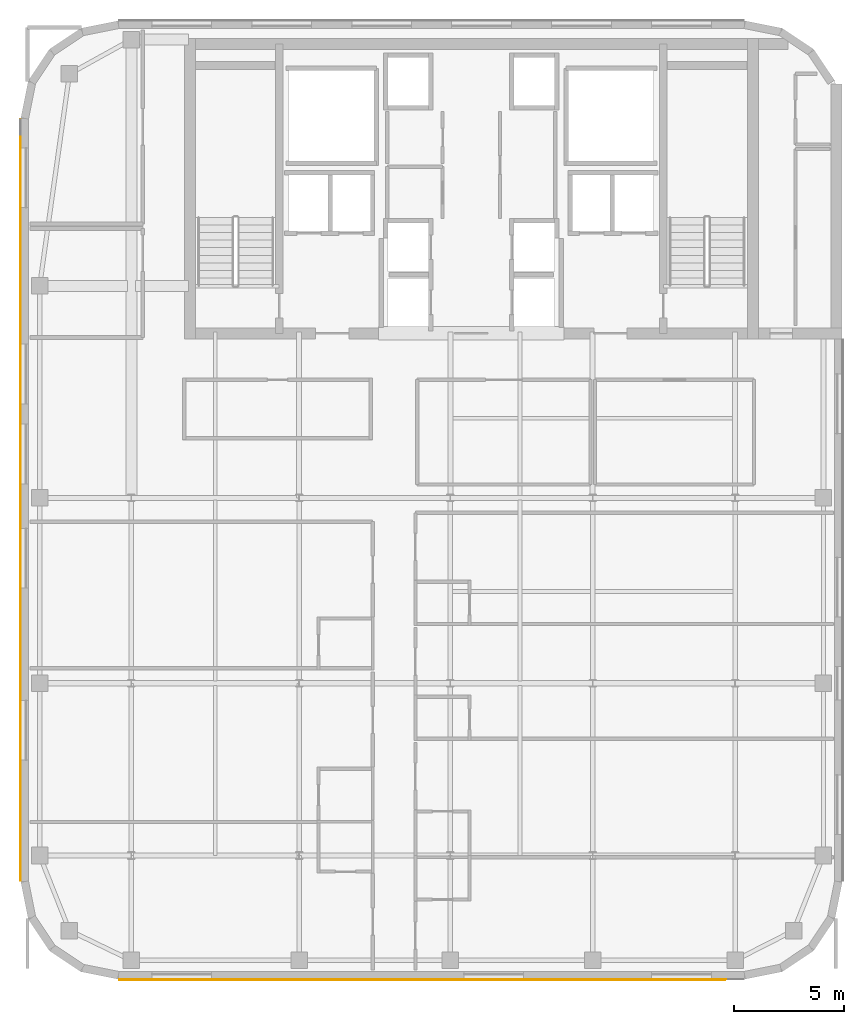
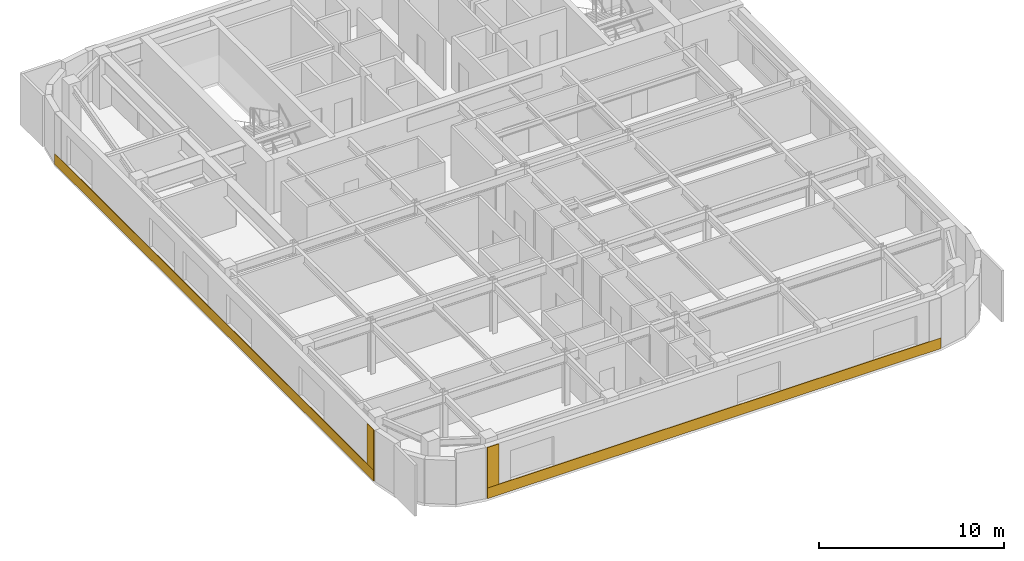
# One storey, part 8 of 11: 4 coverings.
"""IFC4 building model written with IfcOpenShell, lengths in metres."""

from ifc_helpers import new_model, si_unit, direction, frame, origin, place, context, subcontext, project, spatial, polyline, outline, extrude, material, layer, layer_set, type_object, element, save


model = new_model("IFC4")

# Units and contexts
model_context = context("Model", 3, precision=1e-05, world=origin(), true_north=direction((0.0, 1.0)))
body_context = subcontext(model_context, "Body", "Model", "MODEL_VIEW")
ifc_project = project(units=[si_unit("LENGTHUNIT", "METRE"), si_unit("AREAUNIT", "SQUARE_METRE"), si_unit("VOLUMEUNIT", "CUBIC_METRE"), si_unit("PLANEANGLEUNIT", "RADIAN"), si_unit("MASSUNIT", "GRAM", prefix="KILO")], contexts=[model_context])

# Site, building, storey
site_placement = place(None, origin())
site = spatial("IfcSite", under=ifc_project, at=site_placement, CompositionType="ELEMENT")
building_placement = place(site_placement, origin())
building = spatial("IfcBuilding", under=site, at=building_placement, Name="Tolvann Quenvar Hotel", CompositionType="ELEMENT")
storey_placement = place(building_placement, frame((0.0, 0.0, 234.550048828125)))
storey = spatial("IfcBuildingStorey", under=building, at=storey_placement, Name="L62", CompositionType="ELEMENT", Elevation=234.550048828125)

# Coverings
ifc_material_1 = material(Name="Kiln-fired red architectural face brick cladding", Category="masonry")
ifc_layer_1 = layer(ifc_material_1, 0.0400390625)
ifc_layer_set_1 = layer_set([ifc_layer_1], Name="Kiln-fired red architectural face brick cladding")
covering_type_1 = type_object("IfcCoveringType", Name="COV_CLAD_BRICK_40", PredefinedType="CLADDING", material=ifc_layer_set_1)
covering_1_placement = place(storey_placement, frame((0.0, 0.0, 0.699951171875)))
element("IfcCovering", 1, at=covering_1_placement, inside=storey, type_object=covering_type_1, Name="Brick Pier Cladding (L62-E04-P1)", PredefinedType="CLADDING", context=body_context, shape_type="SweptSolid", body=[
    extrude(outline(polyline([(7.067138671875, 2.60009765625), (7.76708984375, 2.60009765625), (7.76708984375, 2.56005859375), (7.067138671875, 2.56005859375), (7.067138671875, 2.60009765625)])), origin(), (0.0, 0.0, 1.0), 2.669921875),
])
covering_2_placement = place(storey_placement, frame((0.0, 0.0, 0.699951171875)))
element("IfcCovering", 2, at=covering_2_placement, inside=storey, type_object=covering_type_1, Name="Brick Pier Cladding (L62-E19-P2)", PredefinedType="CLADDING", context=body_context, shape_type="SweptSolid", body=[
    extrude(outline(polyline([(2.60009765625, 7.76708984375), (2.60009765625, 7.067138671875), (2.56005859375, 7.067138671875), (2.56005859375, 7.76708984375), (2.60009765625, 7.76708984375)])), origin(), (0.0, 0.0, 1.0), 2.669921875),
])
ifc_material_2 = material(Name="Moulded buff architectural terracotta spandrel cladding", Category="masonry")
ifc_layer_2 = layer(ifc_material_2, 0.0400390625)
ifc_layer_set_2 = layer_set([ifc_layer_2], Name="Moulded buff architectural terracotta spandrel cladding")
covering_type_2 = type_object("IfcCoveringType", Name="COV_CLAD_TERRA_40", PredefinedType="CLADDING", material=ifc_layer_set_2)
covering_3_placement = place(storey_placement, origin())
element("IfcCovering", 3, at=covering_3_placement, inside=storey, type_object=covering_type_2, Name="Terracotta Spandrel Cladding (L62-E04)", PredefinedType="CLADDING", context=body_context, shape_type="SweptSolid", body=[
    extrude(outline(polyline([(7.05712890625, 2.60009765625), (35.3427734375, 2.60009765625), (35.3427734375, 2.56005859375), (7.05712890625, 2.56005859375), (7.05712890625, 2.60009765625)])), origin(), (0.0, 0.0, 1.0), 0.699951171875),
])
covering_4_placement = place(storey_placement, origin())
element("IfcCovering", 4, at=covering_4_placement, inside=storey, type_object=covering_type_2, Name="Terracotta Spandrel Cladding (L62-E19)", PredefinedType="CLADDING", context=body_context, shape_type="SweptSolid", body=[
    extrude(outline(polyline([(2.60009765625, 41.542724609375), (2.60009765625, 7.05712890625), (2.56005859375, 7.05712890625), (2.56005859375, 41.542724609375), (2.60009765625, 41.542724609375)])), origin(), (0.0, 0.0, 1.0), 0.699951171875),
])

save(model, "model.ifc")
